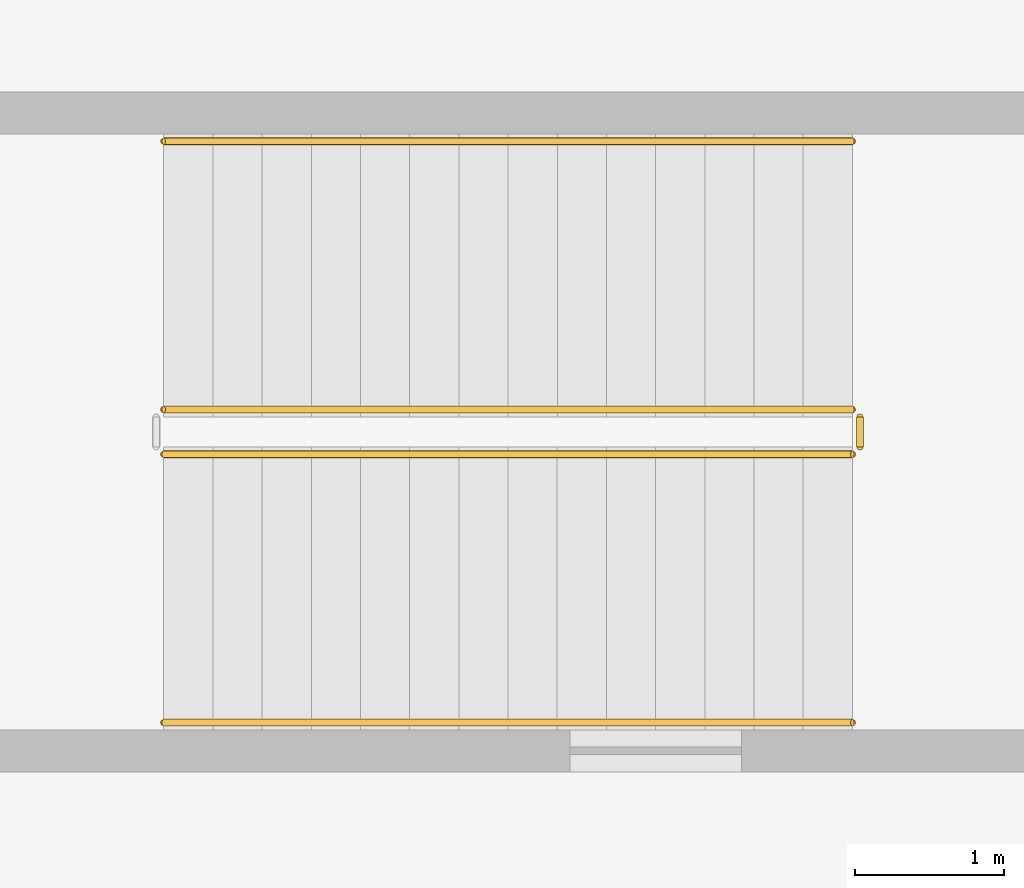
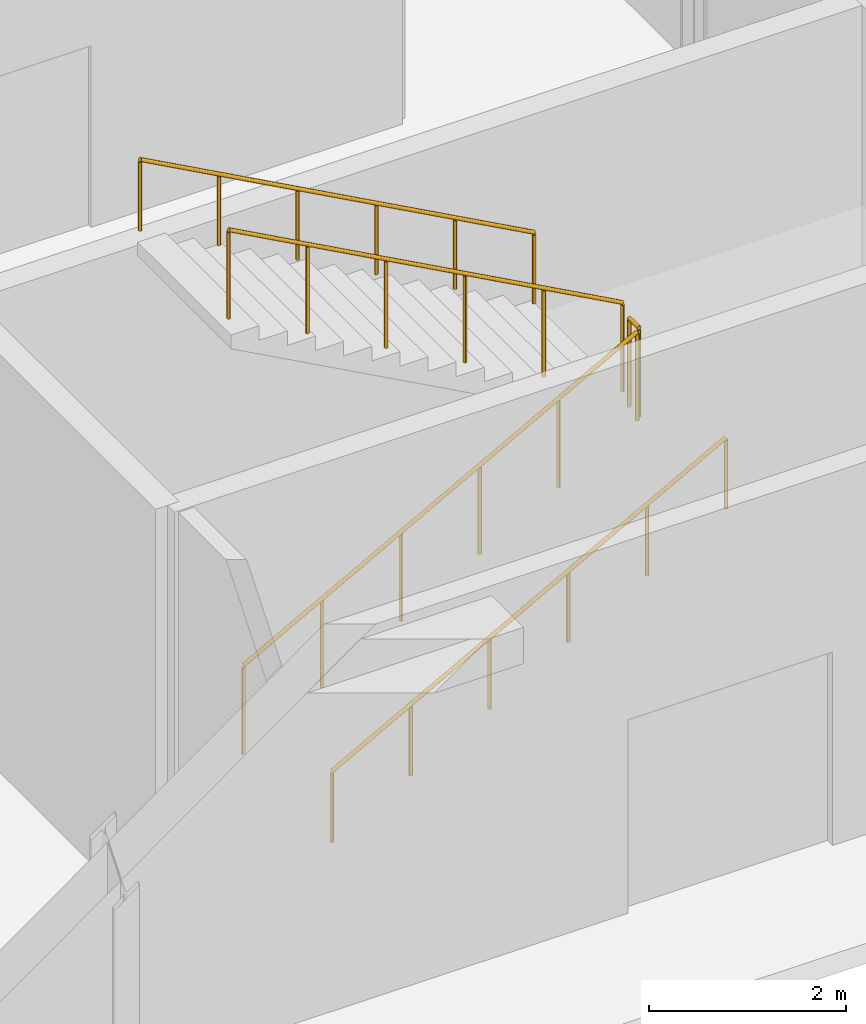
# One storey, part 84 of 87: 5 railings.
"""IFC4 building model written with IfcOpenShell, lengths in metres."""

import ifcopenshell
import ifcopenshell.guid

model = None  # the IFC model being written
_history = None  # IfcOwnerHistory: only IFC2X3 demands one
_inside = {}  # id of a spatial element -> (the spatial element, [elements in it])
_under = {}  # id of a project, library or spatial element -> (it, [spatial elements below it])
_declared = {}  # id of a project -> (the project, [libraries it declares])
_typed = {}  # id of a type object -> (the type object, [elements of that type])
_made_of = {}  # id of a material, layer set ... -> (it, [elements and type objects made of it])


def new_model(schema):
    """Start an empty IFC model of exactly this schema.

    Asked for "IFC4X3", IfcOpenShell would pick the latest addendum, in which some entities
    have other attributes; the version numbers below select the first issue.
    IFC2X3 requires an IfcOwnerHistory on every rooted entity: one is made here for all.
    """
    global model, _history
    if schema == "IFC4X3":
        model = ifcopenshell.file(schema_version=(4, 3, 0, 0))
    else:
        model = ifcopenshell.file(schema=schema)
    _inside.clear()
    _under.clear()
    _declared.clear()
    _typed.clear()
    _made_of.clear()
    _history = None
    if model.schema == "IFC2X3":
        org = make("IfcOrganization", Name="unknown")
        user = make(
            "IfcPersonAndOrganization",
            ThePerson=make("IfcPerson", FamilyName="unknown"),
            TheOrganization=org,
        )
        app = make(
            "IfcApplication",
            ApplicationDeveloper=org,
            Version="unknown",
            ApplicationFullName="unknown",
            ApplicationIdentifier="unknown",
        )
        _history = make(
            "IfcOwnerHistory",
            OwningUser=user,
            OwningApplication=app,
            ChangeAction="ADDED",
            CreationDate=0,
        )
    return model


def make(cls, **values):
    """One entity of the class cls with the attributes given. An attribute that is None is left unset."""
    return model.create_entity(
        cls, **{name: value for name, value in values.items() if value is not None}
    )


def rooted(cls, **values):
    """An entity with a GlobalId (a new one), such as an element, a storey or a relation."""
    return make(cls, GlobalId=ifcopenshell.guid.new(), OwnerHistory=_history, **values)


def si_unit(unit_type, name, prefix=None):
    """IfcSIUnit, for example si_unit("LENGTHUNIT", "METRE", prefix="MILLI")."""
    return make("IfcSIUnit", UnitType=unit_type, Prefix=prefix, Name=name)


def assignment(units):
    """IfcUnitAssignment: the units of a project."""
    return None if units is None else make("IfcUnitAssignment", Units=units)


def point(xyz):
    """IfcCartesianPoint."""
    return None if xyz is None else make("IfcCartesianPoint", Coordinates=xyz)


def direction(xyz):
    """IfcDirection."""
    return None if xyz is None else make("IfcDirection", DirectionRatios=xyz)


def frame(location, z_axis=None, x_axis=None):
    """IfcAxis2Placement3D, a coordinate frame: its origin and axes. An axis left out is left unset."""
    return make(
        "IfcAxis2Placement3D",
        Location=point(location),
        Axis=direction(z_axis),
        RefDirection=direction(x_axis),
    )


def frame_2d(location, x_axis=None):
    """IfcAxis2Placement2D, a coordinate frame in the plane: its origin and x axis."""
    return make(
        "IfcAxis2Placement2D", Location=point(location), RefDirection=direction(x_axis)
    )


def origin():
    """The frame at (0, 0, 0) with its axes left unset."""
    return frame((0.0, 0.0, 0.0))


def origin_2d():
    """The frame at (0, 0) in the plane with its x axis left unset."""
    return frame_2d((0.0, 0.0))


def place(relative_to, where):
    """IfcLocalPlacement: puts the frame where relative to a parent placement (None: the world)."""
    return make(
        "IfcLocalPlacement", PlacementRelTo=relative_to, RelativePlacement=where
    )


def context(
    kind, dimensions, precision=None, world=None, true_north=None, identifier=None
):
    """IfcGeometricRepresentationContext, for example the 3D "Model" context."""
    return make(
        "IfcGeometricRepresentationContext",
        ContextIdentifier=identifier,
        ContextType=kind,
        CoordinateSpaceDimension=dimensions,
        Precision=precision,
        WorldCoordinateSystem=world,
        TrueNorth=true_north,
    )


def subcontext(parent, identifier, kind, view, scale=None):
    """IfcGeometricRepresentationSubContext, for example "Body" below "Model"."""
    return make(
        "IfcGeometricRepresentationSubContext",
        ContextIdentifier=identifier,
        ContextType=kind,
        ParentContext=parent,
        TargetScale=scale,
        TargetView=view,
    )


def project(units=None, contexts=None):
    """IfcProject with its units and contexts."""
    return rooted(
        "IfcProject",
        Name="project",
        RepresentationContexts=contexts,
        UnitsInContext=assignment(units),
    )


def spatial(cls, under=None, at=None, **own):
    """A site, building, storey or space (cls), placed at a placement, below another one or the project."""
    s = rooted(cls, ObjectPlacement=at, **own)
    if under is not None:
        _under.setdefault(under.id(), (under, []))[1].append(s)
    return s


def profile(cls, at=None, kind="AREA", **sizes):
    """A parametric profile (cls). Its sizes go by their IFC names, for example OverallWidth=200.0."""
    return make(cls, ProfileType=kind, Position=at, **sizes)


def circle(**sizes):
    """IfcCircleProfileDef."""
    return profile("IfcCircleProfileDef", **sizes)


def extrude(swept, where, along, depth):
    """IfcExtrudedAreaSolid: the profile swept, set in the frame where, extruded along a direction by depth."""
    return make(
        "IfcExtrudedAreaSolid",
        SweptArea=swept,
        Position=where,
        ExtrudedDirection=direction(along),
        Depth=depth,
    )


def shape(context_of_items, identifier, shape_type, items):
    """IfcShapeRepresentation: the items that make up one representation, for example the "Body"."""
    return make(
        "IfcShapeRepresentation",
        ContextOfItems=context_of_items,
        RepresentationIdentifier=identifier,
        RepresentationType=shape_type,
        Items=items,
    )


def material(Name=None, Category=None):
    """IfcMaterial."""
    return make("IfcMaterial", Name=Name, Category=Category)


def made_of(thing, what):
    """Note that an element or type object is made of a material, layer set ...; save() writes the relation."""
    if what is not None:
        _made_of.setdefault(what.id(), (what, []))[1].append(thing)
    return thing


def type_object(cls, material=None, **own):
    """A type object (cls), such as IfcWallType, which elements share."""
    return made_of(rooted(cls, **own), material)


def element(
    cls,
    number,
    at=None,
    inside=None,
    cuts=None,
    type_object=None,
    material=None,
    context=None,
    identifier="Body",
    shape_type=None,
    held_by="IfcProductDefinitionShape",
    body=None,
    shapes=None,
    **own,
):
    """One element of the class cls, such as IfcWall. Its Tag is "e" and its number.

    at: its placement. inside: the storey or other place that contains it. cuts: it is an
    opening in that element (IfcRelVoidsElement). A single representation is given by context,
    identifier, shape_type and body (its items); several are given by shapes. held_by: the class
    of the entity that holds the representations. save() writes the other relations.
    """
    e = rooted(cls, Tag="e%d" % number, ObjectPlacement=at, **own)
    if body is not None:
        shapes = [shape(context, identifier, shape_type, body)]
    if shapes is not None:
        e.Representation = make(held_by, Representations=shapes)
    if inside is not None:
        _inside.setdefault(inside.id(), (inside, []))[1].append(e)
    if cuts is not None:
        rooted(
            "IfcRelVoidsElement", RelatingBuildingElement=cuts, RelatedOpeningElement=e
        )
    if type_object is not None:
        _typed.setdefault(type_object.id(), (type_object, []))[1].append(e)
    return made_of(e, material)


def aggregate(whole, parts):
    """IfcRelAggregates: a whole, such as a stair, and the parts it consists of."""
    return rooted("IfcRelAggregates", RelatingObject=whole, RelatedObjects=parts)


def save(model, path):
    """Write the relations noted so far, then the file.

    IfcRelAggregates (storeys below a building ...), IfcRelContainedInSpatialStructure (elements
    in a storey), IfcRelDefinesByType, IfcRelAssociatesMaterial and IfcRelDeclares: one each for
    every whole, place, type object, material and project.
    """
    for whole, parts in _under.values():
        aggregate(whole, parts)
    for where, things in _inside.values():
        rooted(
            "IfcRelContainedInSpatialStructure",
            RelatedElements=things,
            RelatingStructure=where,
        )
    for kind, things in _typed.values():
        rooted("IfcRelDefinesByType", RelatedObjects=things, RelatingType=kind)
    for what, things in _made_of.values():
        rooted("IfcRelAssociatesMaterial", RelatedObjects=things, RelatingMaterial=what)
    for by, libraries in _declared.values():
        rooted("IfcRelDeclares", RelatingContext=by, RelatedDefinitions=libraries)
    model.write(path)


model = new_model("IFC4")

# Units and contexts
model_context = context("Model", 3, precision=1e-05, world=origin(), true_north=direction((0.0, 1.0)))
body_context = subcontext(model_context, "Body", "Model", "MODEL_VIEW")
ifc_project = project(units=[si_unit("LENGTHUNIT", "METRE"), si_unit("AREAUNIT", "SQUARE_METRE"), si_unit("VOLUMEUNIT", "CUBIC_METRE"), si_unit("PLANEANGLEUNIT", "RADIAN"), si_unit("MASSUNIT", "GRAM", prefix="KILO")], contexts=[model_context])

# Site, building, storey
site_placement = place(None, origin())
site = spatial("IfcSite", under=ifc_project, at=site_placement, CompositionType="ELEMENT")
building_placement = place(site_placement, origin())
building = spatial("IfcBuilding", under=site, at=building_placement, Name="Kimbaza Rail Terminus", CompositionType="ELEMENT")
storey_placement = place(building_placement, origin())
storey = spatial("IfcBuildingStorey", under=building, at=storey_placement, Name="L00", CompositionType="ELEMENT", Elevation=0.0)

# Railings
ifc_material_1 = material(Name="Brushed stainless steel handrail", Category="steel")
railing_type_1 = type_object("IfcRailingType", Name="ARC-RL-HND92", PredefinedType="HANDRAIL", material=ifc_material_1)
railing_1_placement = place(storey_placement, frame((203.699951171875, 15.25, 0.179931640625)))
element("IfcRailing", 1, at=railing_1_placement, inside=storey, type_object=railing_type_1, Name="L00 ST-P2 stair handrail 1", PredefinedType="HANDRAIL", context=body_context, shape_type="SweptSolid", body=[
    extrude(circle(Radius=0.02392578125, at=origin_2d()), frame((0.0, 0.0, 0.8759765625), z_axis=(0.877899118682, 0.0, 0.478845630049), x_axis=(0.0, 1.0, 0.0)), (0.0, 0.0, 1.0), 5.2626953125),
    extrude(circle(Radius=0.02099609375, at=origin_2d()), origin(), (0.0, 0.0, 1.0), 0.851806640625),
    extrude(circle(Radius=0.02099609375, at=origin_2d()), frame((0.924072265625, 0.0, 0.50390625)), (0.0, 0.0, 1.0), 0.851806640625),
    extrude(circle(Radius=0.02099609375, at=origin_2d()), frame((1.84814453125, 0.0, 1.008056640625)), (0.0, 0.0, 1.0), 0.851806640625),
    extrude(circle(Radius=0.02099609375, at=origin_2d()), frame((2.77197265625, 0.0, 1.511962890625)), (0.0, 0.0, 1.0), 0.851806640625),
    extrude(circle(Radius=0.02099609375, at=origin_2d()), frame((3.696044921875, 0.0, 2.01611328125)), (0.0, 0.0, 1.0), 0.851806640625),
    extrude(circle(Radius=0.02099609375, at=origin_2d()), frame((4.6201171875, 0.0, 2.52001953125)), (0.0, 0.0, 1.0), 0.851806640625),
])
railing_2_placement = place(storey_placement, frame((208.320068359375, 19.14990234375, 2.8798828125)))
element("IfcRailing", 2, at=railing_2_placement, inside=storey, type_object=railing_type_1, Name="L00 ST-P2 stair handrail 2", PredefinedType="HANDRAIL", context=body_context, shape_type="SweptSolid", body=[
    extrude(circle(Radius=0.02392578125, at=origin_2d()), frame((0.0, 0.0, 0.8759765625), z_axis=(-0.877899118682, 0.0, 0.478845630049), x_axis=(0.0, -1.0, 0.0)), (0.0, 0.0, 1.0), 5.2626953125),
    extrude(circle(Radius=0.02099609375, at=origin_2d()), origin(), (0.0, 0.0, 1.0), 0.851806640625),
    extrude(circle(Radius=0.02099609375, at=origin_2d()), frame((-0.924072265625, 0.0, 0.50390625)), (0.0, 0.0, 1.0), 0.851806640625),
    extrude(circle(Radius=0.02099609375, at=origin_2d()), frame((-1.84814453125, 0.0, 1.008056640625)), (0.0, 0.0, 1.0), 0.851806640625),
    extrude(circle(Radius=0.02099609375, at=origin_2d()), frame((-2.77197265625, 0.0, 1.511962890625)), (0.0, 0.0, 1.0), 0.851806640625),
    extrude(circle(Radius=0.02099609375, at=origin_2d()), frame((-3.696044921875, 0.0, 2.01611328125)), (0.0, 0.0, 1.0), 0.851806640625),
    extrude(circle(Radius=0.02099609375, at=origin_2d()), frame((-4.6201171875, 0.0, 2.52001953125)), (0.0, 0.0, 1.0), 0.851806640625),
])
ifc_material_2 = material(Name="Painted tubular steel stair well guard", Category="steel")
railing_type_2 = type_object("IfcRailingType", Name="ARC-RL-STGRD", PredefinedType="GUARDRAIL", material=ifc_material_2)
railing_3_placement = place(storey_placement, frame((203.699951171875, 17.050048828125, 0.179931640625)))
element("IfcRailing", 3, at=railing_3_placement, inside=storey, type_object=railing_type_2, Name="L00 ST-P2 stair guard 1", PredefinedType="GUARDRAIL", context=body_context, shape_type="SweptSolid", body=[
    extrude(circle(Radius=0.02392578125, at=origin_2d()), frame((0.0, 0.0, 1.09619140625), z_axis=(0.877899118682, 0.0, 0.478845630049), x_axis=(0.0, 1.0, 0.0)), (0.0, 0.0, 1.0), 5.2626953125),
    extrude(circle(Radius=0.02099609375, at=origin_2d()), origin(), (0.0, 0.0, 1.0), 1.072021484375),
    extrude(circle(Radius=0.02099609375, at=origin_2d()), frame((0.924072265625, 0.0, 0.50390625)), (0.0, 0.0, 1.0), 1.072021484375),
    extrude(circle(Radius=0.02099609375, at=origin_2d()), frame((1.84814453125, 0.0, 1.008056640625)), (0.0, 0.0, 1.0), 1.072021484375),
    extrude(circle(Radius=0.02099609375, at=origin_2d()), frame((2.77197265625, 0.0, 1.511962890625)), (0.0, 0.0, 1.0), 1.072021484375),
    extrude(circle(Radius=0.02099609375, at=origin_2d()), frame((3.696044921875, 0.0, 2.01611328125)), (0.0, 0.0, 1.0), 1.072021484375),
    extrude(circle(Radius=0.02099609375, at=origin_2d()), frame((4.6201171875, 0.0, 2.52001953125)), (0.0, 0.0, 1.0), 1.072021484375),
])
railing_4_placement = place(storey_placement, frame((208.3701171875, 17.10009765625, 2.699951171875)))
element("IfcRailing", 4, at=railing_4_placement, inside=storey, type_object=railing_type_2, Name="L00 ST-P2 stair guard 2", PredefinedType="GUARDRAIL", context=body_context, shape_type="SweptSolid", body=[
    extrude(circle(Radius=0.02392578125, at=origin_2d()), frame((0.0, 0.0, 1.09619140625), z_axis=(0.0, 1.0, 0.0), x_axis=(-1.0, 0.0, 0.0)), (0.0, 0.0, 1.0), 0.199951171875),
    extrude(circle(Radius=0.02099609375, at=origin_2d()), origin(), (0.0, 0.0, 1.0), 1.072021484375),
    extrude(circle(Radius=0.02099609375, at=origin_2d()), frame((0.0, 0.199951171875, 0.0)), (0.0, 0.0, 1.0), 1.072021484375),
])
railing_5_placement = place(storey_placement, frame((208.320068359375, 17.35009765625, 2.8798828125)))
element("IfcRailing", 5, at=railing_5_placement, inside=storey, type_object=railing_type_2, Name="L00 ST-P2 stair guard 3", PredefinedType="GUARDRAIL", context=body_context, shape_type="SweptSolid", body=[
    extrude(circle(Radius=0.02392578125, at=origin_2d()), frame((0.0, 0.0, 1.09619140625), z_axis=(-0.877899118682, 0.0, 0.478845630049), x_axis=(0.0, -1.0, 0.0)), (0.0, 0.0, 1.0), 5.2626953125),
    extrude(circle(Radius=0.02099609375, at=origin_2d()), origin(), (0.0, 0.0, 1.0), 1.072021484375),
    extrude(circle(Radius=0.02099609375, at=origin_2d()), frame((-0.924072265625, 0.0, 0.50390625)), (0.0, 0.0, 1.0), 1.072021484375),
    extrude(circle(Radius=0.02099609375, at=origin_2d()), frame((-1.84814453125, 0.0, 1.008056640625)), (0.0, 0.0, 1.0), 1.072021484375),
    extrude(circle(Radius=0.02099609375, at=origin_2d()), frame((-2.77197265625, 0.0, 1.511962890625)), (0.0, 0.0, 1.0), 1.072021484375),
    extrude(circle(Radius=0.02099609375, at=origin_2d()), frame((-3.696044921875, 0.0, 2.01611328125)), (0.0, 0.0, 1.0), 1.072021484375),
    extrude(circle(Radius=0.02099609375, at=origin_2d()), frame((-4.6201171875, 0.0, 2.52001953125)), (0.0, 0.0, 1.0), 1.072021484375),
])

save(model, "model.ifc")
